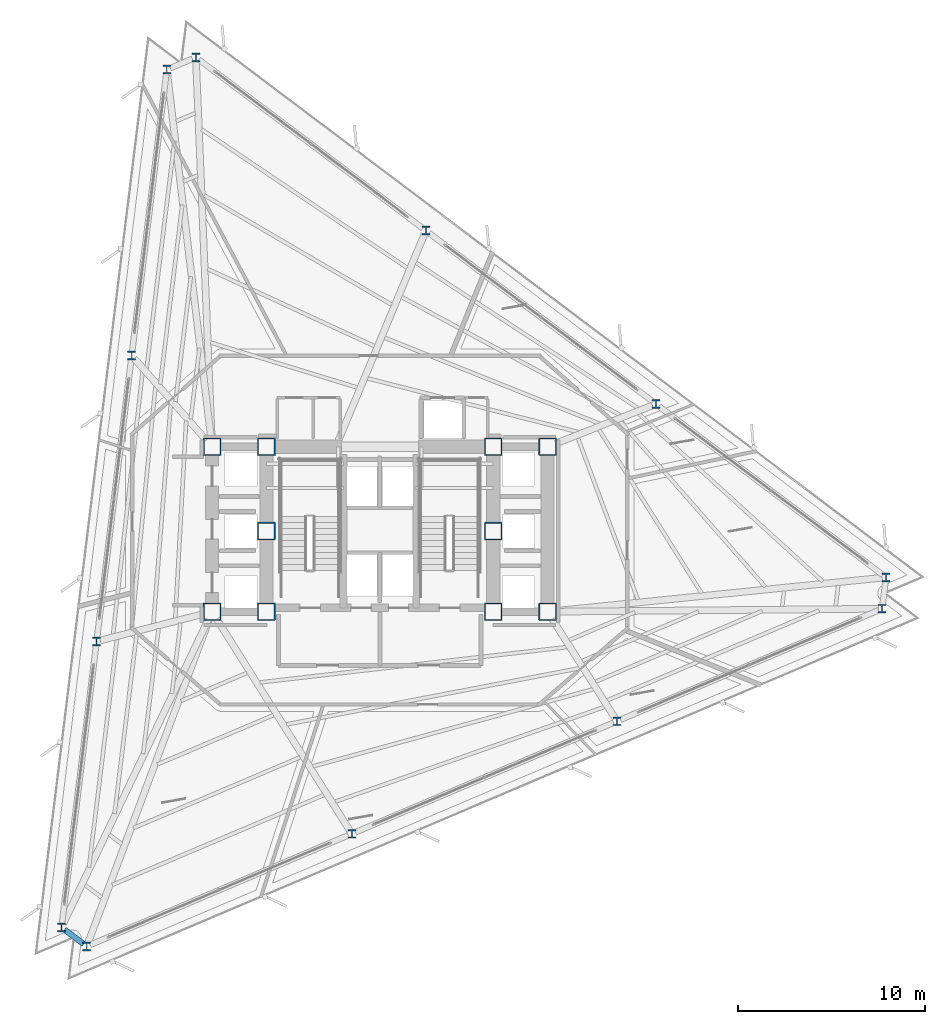
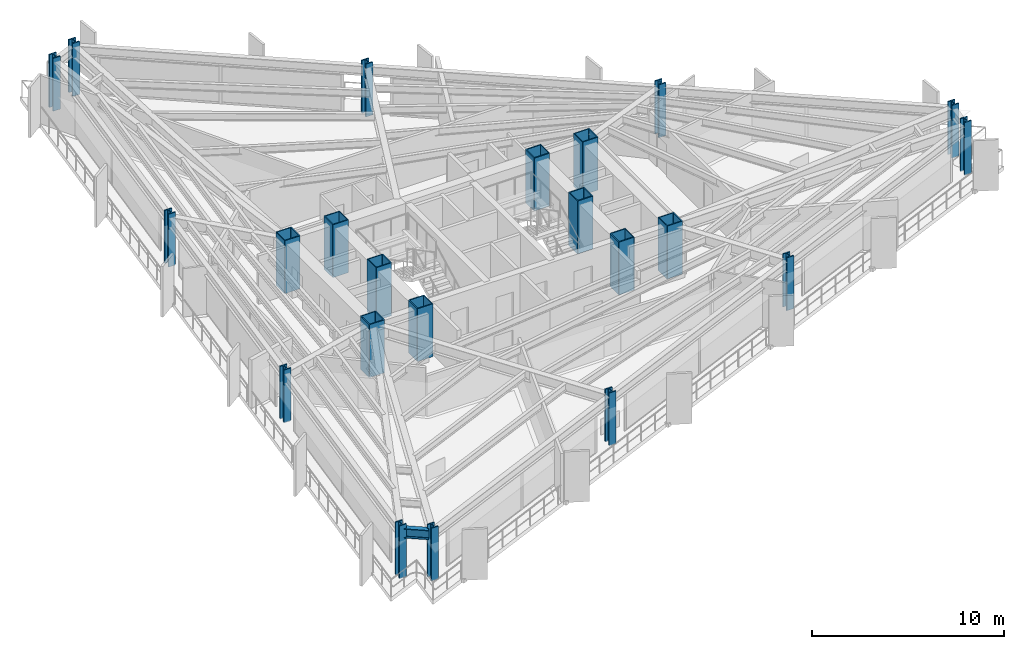
# One storey, part 1 of 13: 22 columns, 1 beam.
"""IFC4 building model written with IfcOpenShell, lengths in metres."""

from ifc_helpers import new_model, si_unit, direction, frame, origin, origin_2d, place, context, subcontext, project, spatial, hollow_rectangle, i_section, extrude, material, material_profile, profile_set, type_object, element, save


model = new_model("IFC4")

# Units and contexts
model_context = context("Model", 3, precision=1e-05, world=origin(), true_north=direction((0.0, 1.0)))
body_context = subcontext(model_context, "Body", "Model", "MODEL_VIEW")
ifc_project = project(units=[si_unit("LENGTHUNIT", "METRE"), si_unit("AREAUNIT", "SQUARE_METRE"), si_unit("VOLUMEUNIT", "CUBIC_METRE"), si_unit("PLANEANGLEUNIT", "RADIAN"), si_unit("MASSUNIT", "GRAM", prefix="KILO")], contexts=[model_context])

# Site, building, storey
site_placement = place(None, origin())
site = spatial("IfcSite", under=ifc_project, at=site_placement, CompositionType="ELEMENT")
building_placement = place(site_placement, origin())
building = spatial("IfcBuilding", under=site, at=building_placement, Name="Rocaltana Carrier Exchange", CompositionType="ELEMENT")
storey_placement = place(building_placement, frame((0.0, 0.0, 56.320068359375)))
storey = spatial("IfcBuildingStorey", under=building, at=storey_placement, Name="L17", CompositionType="ELEMENT", Elevation=56.320068359375)

# Columns
ifc_material_1 = material(Name="Steel S460", Category="steel")
ifc_material_profile_1 = material_profile(ifc_material_1, hollow_rectangle(XDim=0.949951171875, YDim=0.949951171875, WallThickness=0.06005859375, InnerFilletRadius=0.02001953125, OuterFilletRadius=0.0400390625, at=origin_2d()), Name="BOX950X950X60")
ifc_profile_set_1 = profile_set([ifc_material_profile_1], Name="Steel S460")
column_type_1 = type_object("IfcColumnType", Name="Core Mega-Column BOX950", PredefinedType="COLUMN", material=ifc_profile_set_1)
for number, where, z_axis, x_axis, name in (
    (1, (-6.050048828125, 4.5, 0.0), (0.0, 0.0, 1.0), (1.0, 0.0, 0.0), "L17 Core Mega-Column MC1"),
    (2, (6.050048828125, 4.5, 0.0), (0.0, 0.0, 1.0), (1.0, 0.0, 0.0), "L17 Core Mega-Column MC2"),
    (3, (-6.050048828125, 0.0, 0.0), (0.0, 0.0, 1.0), (1.0, 0.0, 0.0), "L17 Core Mega-Column MC3"),
    (4, (6.050048828125, 0.0, 0.0), (0.0, 0.0, 1.0), (1.0, 0.0, 0.0), "L17 Core Mega-Column MC4"),
    (5, (-6.050048828125, -4.300048828125, 0.0), (0.0, 0.0, 1.0), (1.0, 0.0, 0.0), "L17 Core Mega-Column MC5"),
    (6, (6.050048828125, -4.300048828125, 0.0), (0.0, 0.0, 1.0), (1.0, 0.0, 0.0), "L17 Core Mega-Column MC6"),
    (7, (-8.949951171875, 4.5, 0.0), (0.0, 0.0, 1.0), (1.0, 0.0, 0.0), "L17 West Core Column WC1"),
    (8, (-8.949951171875, -4.300048828125, 0.0), (0.0, 0.0, 1.0), (1.0, 0.0, 0.0), "L17 West Core Column WC2"),
    (9, (8.949951171875, 4.5, 0.0), (0.0, 0.0, 1.0), (1.0, 0.0, 0.0), "L17 East Core Column EC1"),
    (10, (8.949951171875, -4.300048828125, 0.0), (0.0, 0.0, 1.0), (1.0, 0.0, 0.0), "L17 East Core Column EC2"),
):
    element("IfcColumn", number, at=place(storey_placement, frame(where, z_axis=z_axis, x_axis=x_axis)), inside=storey, type_object=column_type_1, Name=name, PredefinedType="COLUMN", context=body_context, shape_type="SweptSolid", body=[
        extrude(hollow_rectangle(XDim=0.949951171875, YDim=0.949951171875, WallThickness=0.06005859375, InnerFilletRadius=0.02001953125, OuterFilletRadius=0.0400390625, at=origin_2d()), origin(), (0.0, 0.0, 1.0), 3.35986328125),
    ])
ifc_material_2 = material(Name="Steel S460", Category="steel")
ifc_material_profile_2 = material_profile(ifc_material_2, i_section(OverallWidth=0.424072265625, OverallDepth=0.47412109375, WebThickness=0.047607421875, FlangeThickness=0.0771484375, FilletRadius=0.02490234375, at=origin_2d()), Name="W14X426")
ifc_profile_set_2 = profile_set([ifc_material_profile_2], Name="Steel S460")
column_type_2 = type_object("IfcColumnType", Name="Perimeter Column W14X426", PredefinedType="COLUMN", material=ifc_profile_set_2)
for number, where, z_axis, x_axis, name in (
    (11, (27.0029296875, -2.466796875, 0.0), (0.0, 0.0, 1.0), (1.0, 0.0, 0.0), "L17 Perimeter Column TC01"),
    (12, (14.73046875, 6.781005859375, 0.0), (0.0, 0.0, 1.0), (1.0, 0.0, 0.0), "L17 Perimeter Column TC02"),
    (13, (2.458251953125, 16.029052734375, 0.0), (0.0, 0.0, 1.0), (1.0, 0.0, 0.0), "L17 Perimeter Column TC03"),
    (14, (-9.814208984375, 25.27685546875, 0.0), (0.0, 0.0, 1.0), (1.0, 0.0, 0.0), "L17 Perimeter Column TC04"),
    (15, (-11.365234375, 24.61865234375, 0.0), (0.0, 0.0, 1.0), (1.0, 0.0, 0.0), "L17 Perimeter Column TC05"),
    (16, (-13.23779296875, 9.366455078125, 0.0), (0.0, 0.0, 1.0), (1.0, 0.0, 0.0), "L17 Perimeter Column TC06"),
    (17, (-15.110595703125, -5.8857421875, 0.0), (0.0, 0.0, 1.0), (1.0, 0.0, 0.0), "L17 Perimeter Column TC07"),
    (18, (-16.9833984375, -21.1376953125, 0.0), (0.0, 0.0, 1.0), (1.0, 0.0, 0.0), "L17 Perimeter Column TC08"),
    (19, (-15.6376953125, -22.15185546875, 0.0), (0.0, 0.0, 1.0), (1.0, 0.0, 0.0), "L17 Perimeter Column TC09"),
    (20, (-1.49267578125, -16.147705078125, 0.0), (0.0, 0.0, 1.0), (1.0, 0.0, 0.0), "L17 Perimeter Column TC10"),
    (21, (12.652587890625, -10.143310546875, 0.0), (0.0, 0.0, 1.0), (1.0, 0.0, 0.0), "L17 Perimeter Column TC11"),
    (22, (26.797607421875, -4.13916015625, 0.0), (0.0, 0.0, 1.0), (1.0, 0.0, 0.0), "L17 Perimeter Column TC12"),
):
    element("IfcColumn", number, at=place(storey_placement, frame(where, z_axis=z_axis, x_axis=x_axis)), inside=storey, type_object=column_type_2, Name=name, PredefinedType="COLUMN", context=body_context, shape_type="SweptSolid", body=[
        extrude(i_section(OverallWidth=0.424072265625, OverallDepth=0.47412109375, WebThickness=0.047607421875, FlangeThickness=0.0771484375, FilletRadius=0.02490234375, at=origin_2d()), origin(), (0.0, 0.0, 1.0), 3.35986328125),
    ])

# Beam
ifc_material_3 = material(Name="Steel S355", Category="steel")
ifc_material_profile_3 = material_profile(ifc_material_3, i_section(OverallWidth=0.300048828125, OverallDepth=0.60009765625, WebThickness=0.015380859375, FlangeThickness=0.030029296875, FilletRadius=0.027099609375, at=origin_2d()), Name="HEB600")
ifc_profile_set_3 = profile_set([ifc_material_profile_3], Name="Steel S355")
beam_type = type_object("IfcBeamType", Name="Spandrel Edge Beam HEB600", PredefinedType="SPANDREL", material=ifc_profile_set_3)
beam_placement = place(storey_placement, frame((-16.820556640625, -21.260498046875, 2.7978515625), z_axis=(0.798667557752, -0.601772492055, 0.0), x_axis=(0.601772492055, 0.798667557752, 0.0)))
element("IfcBeam", 23, at=beam_placement, inside=storey, type_object=beam_type, Name="SP-L17-08", PredefinedType="SPANDREL", context=body_context, shape_type="SweptSolid", body=[
    extrude(i_section(OverallWidth=0.300048828125, OverallDepth=0.60009765625, WebThickness=0.015380859375, FlangeThickness=0.030029296875, FilletRadius=0.027099609375, at=origin_2d()), origin(), (0.0, 0.0, 1.0), 1.277099609375),
])

save(model, "model.ifc")
